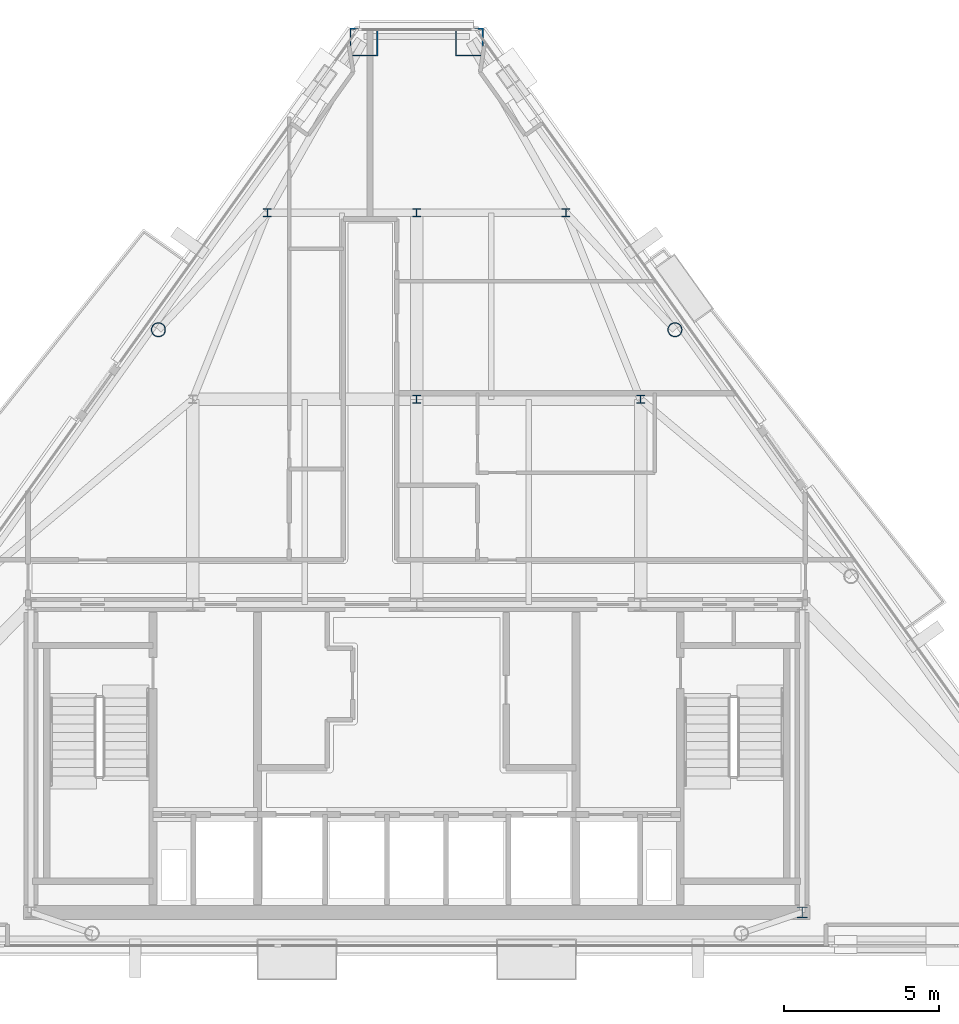
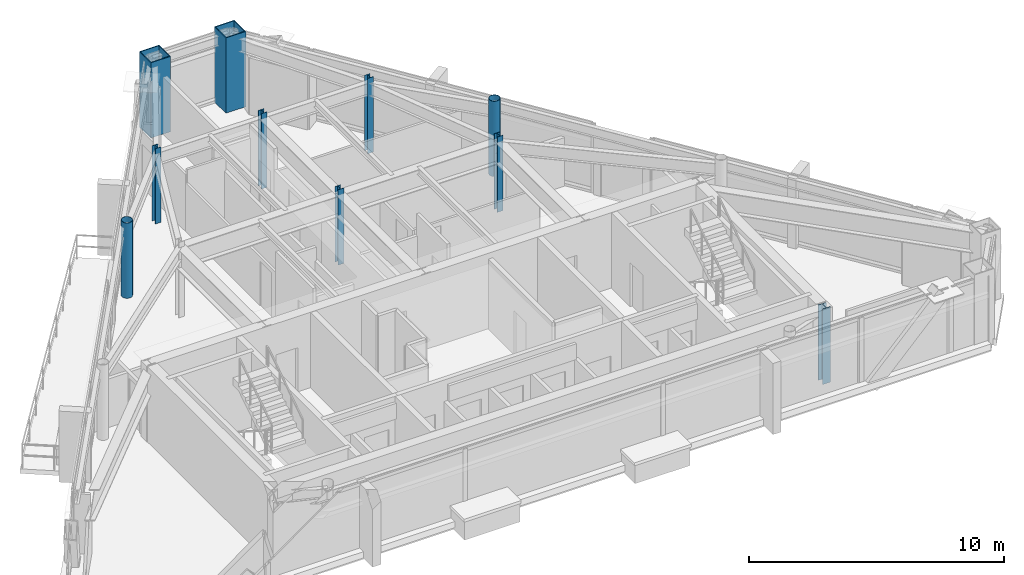
# One storey, part 2 of 12: 10 columns.
"""IFC4 building model written with IfcOpenShell, lengths in metres."""

from ifc_helpers import new_model, si_unit, direction, frame, origin, origin_2d, place, context, subcontext, project, spatial, hollow_rectangle, hollow_circle, i_section, extrude, material, material_profile, profile_set, type_object, element, save


model = new_model("IFC4")

# Units and contexts
model_context = context("Model", 3, precision=1e-05, world=origin(), true_north=direction((0.0, 1.0)))
body_context = subcontext(model_context, "Body", "Model", "MODEL_VIEW")
ifc_project = project(units=[si_unit("LENGTHUNIT", "METRE"), si_unit("AREAUNIT", "SQUARE_METRE"), si_unit("VOLUMEUNIT", "CUBIC_METRE"), si_unit("PLANEANGLEUNIT", "RADIAN"), si_unit("MASSUNIT", "GRAM", prefix="KILO")], contexts=[model_context])

# Site, building, storey
site_placement = place(None, origin())
site = spatial("IfcSite", under=ifc_project, at=site_placement, CompositionType="ELEMENT")
building_placement = place(site_placement, origin())
building = spatial("IfcBuilding", under=site, at=building_placement, Name="Talgorran Terracotta Tower", CompositionType="ELEMENT")
storey_placement = place(building_placement, frame((0.0, 0.0, 277.800048828125)))
storey = spatial("IfcBuildingStorey", under=building, at=storey_placement, Name="L73", CompositionType="ELEMENT", Elevation=277.800048828125)

# Columns
ifc_material_1 = material(Name="Steel S355 (300PLUS)", Category="steel")
ifc_material_profile_1 = material_profile(ifc_material_1, i_section(OverallWidth=0.256103515625, OverallDepth=0.260009765625, WebThickness=0.010498046875, FlangeThickness=0.017333984375, at=origin_2d()), Name="250UC89.5")
ifc_profile_set_1 = profile_set([ifc_material_profile_1], Name="Steel S355 (300PLUS)")
column_type_1 = type_object("IfcColumnType", Name="COL_250UC89", PredefinedType="COLUMN", material=ifc_profile_set_1)
for number, where, z_axis, x_axis, name in (
    (1, (0.0, 2.39990234375, 0.0), (0.0, 0.0, 1.0), (1.0, 0.0, 0.0), "L73 Interior Gravity Column IC2"),
    (2, (7.199951171875, 2.39990234375, 0.0), (0.0, 0.0, 1.0), (1.0, 0.0, 0.0), "L73 Interior Gravity Column IC3"),
    (3, (-4.800048828125, 8.39990234375, 0.0), (0.0, 0.0, 1.0), (1.0, 0.0, 0.0), "L73 Interior Gravity Column IC4"),
    (4, (0.0, 8.39990234375, 0.0), (0.0, 0.0, 1.0), (1.0, 0.0, 0.0), "L73 Interior Gravity Column IC5"),
    (5, (4.800048828125, 8.39990234375, 0.0), (0.0, 0.0, 1.0), (1.0, 0.0, 0.0), "L73 Interior Gravity Column IC6"),
):
    element("IfcColumn", number, at=place(storey_placement, frame(where, z_axis=z_axis, x_axis=x_axis)), inside=storey, type_object=column_type_1, Name=name, PredefinedType="COLUMN", context=body_context, shape_type="SweptSolid", body=[
        extrude(i_section(OverallWidth=0.256103515625, OverallDepth=0.260009765625, WebThickness=0.010498046875, FlangeThickness=0.017333984375, at=origin_2d()), origin(), (0.0, 0.0, 1.0), 3.599853515625),
    ])
ifc_material_profile_2 = material_profile(ifc_material_1, i_section(OverallWidth=0.35205078125, OverallDepth=0.35888671875, WebThickness=0.01806640625, FlangeThickness=0.02587890625, at=origin_2d()), Name="350WC197")
ifc_profile_set_2 = profile_set([ifc_material_profile_2], Name="Steel S355 (300PLUS)")
column_type_2 = type_object("IfcColumnType", Name="COL_350WC197", PredefinedType="COLUMN", material=ifc_profile_set_2)
column_placement = place(storey_placement, frame((12.39990234375, -14.10009765625, 0.0), z_axis=(0.0, 0.0, 1.0), x_axis=(1.0, 0.0, 0.0)))
element("IfcColumn", 6, at=column_placement, inside=storey, type_object=column_type_2, Name="L73 Core Boundary Column CC2", PredefinedType="COLUMN", context=body_context, shape_type="SweptSolid", body=[
    extrude(i_section(OverallWidth=0.35205078125, OverallDepth=0.35888671875, WebThickness=0.01806640625, FlangeThickness=0.02587890625, at=origin_2d()), origin(), (0.0, 0.0, 1.0), 3.599853515625),
])
ifc_material_2 = material(Name="Steel Grade 350 (350L0)", Category="steel")
ifc_material_profile_3 = material_profile(ifc_material_2, hollow_rectangle(XDim=0.89990234375, YDim=0.89990234375, WallThickness=0.0400390625, at=origin_2d()), Name="CFT900X900X40")
ifc_profile_set_3 = profile_set([ifc_material_profile_3], Name="Steel Grade 350 (350L0)")
column_type_3 = type_object("IfcColumnType", Name="COL_CFT_900", PredefinedType="COLUMN", material=ifc_profile_set_3)
for number, where, z_axis, x_axis, name in (
    (7, (1.697998046875, 13.889404296875, 0.0), (0.0, 0.0, 1.0), (1.0, 0.0, 0.0), "L73 Corner CFT Mega-Column MC5"),
    (8, (-1.697998046875, 13.889404296875, 0.0), (0.0, 0.0, 1.0), (1.0, 0.0, 0.0), "L73 Corner CFT Mega-Column MC6"),
):
    element("IfcColumn", number, at=place(storey_placement, frame(where, z_axis=z_axis, x_axis=x_axis)), inside=storey, type_object=column_type_3, Name=name, PredefinedType="COLUMN", context=body_context, shape_type="SweptSolid", body=[
        extrude(hollow_rectangle(XDim=0.89990234375, YDim=0.89990234375, WallThickness=0.0400390625, at=origin_2d()), origin(), (0.0, 0.0, 1.0), 3.599853515625),
    ])
ifc_material_3 = material(Name="Steel S350 (C350L0)", Category="steel")
ifc_material_profile_4 = material_profile(ifc_material_3, hollow_circle(Radius=0.228515625, WallThickness=0.01611328125, at=origin_2d()), Name="CHS457X16")
ifc_profile_set_4 = profile_set([ifc_material_profile_4], Name="Steel S350 (C350L0)")
column_type_4 = type_object("IfcColumnType", Name="COL_CHS_457", PredefinedType="COLUMN", material=ifc_profile_set_4)
for number, where, z_axis, x_axis, name in (
    (9, (8.30615234375, 4.63818359375, 0.0), (0.0, 0.0, 1.0), (1.0, 0.0, 0.0), "L73 Facet Perimeter Column FC4"),
    (10, (-8.30615234375, 4.63818359375, 0.0), (0.0, 0.0, 1.0), (1.0, 0.0, 0.0), "L73 Facet Perimeter Column FC5"),
):
    element("IfcColumn", number, at=place(storey_placement, frame(where, z_axis=z_axis, x_axis=x_axis)), inside=storey, type_object=column_type_4, Name=name, PredefinedType="COLUMN", context=body_context, shape_type="SweptSolid", body=[
        extrude(hollow_circle(Radius=0.228515625, WallThickness=0.01611328125, at=origin_2d()), origin(), (0.0, 0.0, 1.0), 3.599853515625),
    ])

save(model, "model.ifc")
